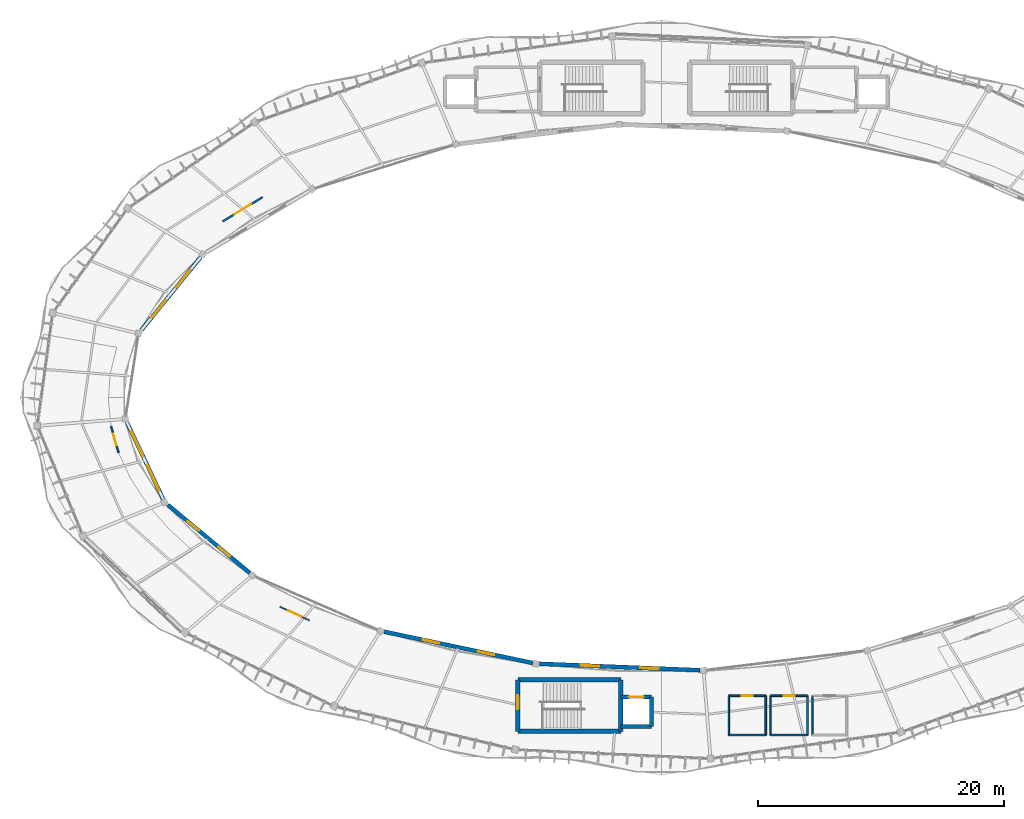
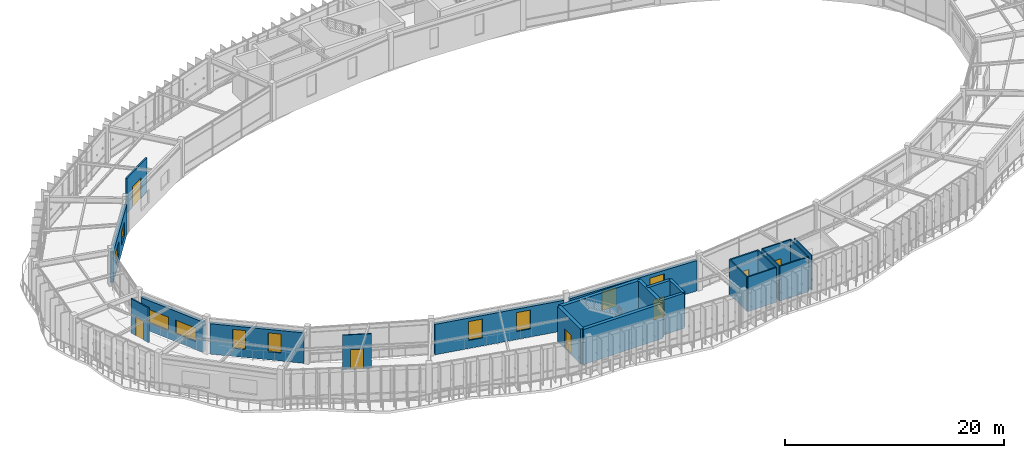
# One storey, part 67 of 79: 24 walls, 10 windows, 7 doors, 17 openings.
"""IFC4 building model written with IfcOpenShell, lengths in metres."""

from ifc_helpers import new_model, si_unit, direction, frame, frame_2d, origin, place, context, subcontext, project, spatial, rectangle, extrude, material, layer, layer_set, type_object, element, fill, save


model = new_model("IFC4")

# Units and contexts
model_context = context("Model", 3, precision=1e-05, world=origin(), true_north=direction((0.0, 1.0)))
body_context = subcontext(model_context, "Body", "Model", "MODEL_VIEW")
ifc_project = project(units=[si_unit("LENGTHUNIT", "METRE"), si_unit("AREAUNIT", "SQUARE_METRE"), si_unit("VOLUMEUNIT", "CUBIC_METRE"), si_unit("PLANEANGLEUNIT", "RADIAN"), si_unit("MASSUNIT", "GRAM", prefix="KILO"), si_unit("THERMODYNAMICTEMPERATUREUNIT", "KELVIN"), si_unit("POWERUNIT", "WATT")], contexts=[model_context])

# Site, building, storey
site_placement = place(None, origin())
site = spatial("IfcSite", under=ifc_project, at=site_placement, CompositionType="ELEMENT")
building_placement = place(site_placement, origin())
building = spatial("IfcBuilding", under=site, at=building_placement, Name="Darbajah Civic Hall", CompositionType="ELEMENT")
storey_placement = place(building_placement, frame((0.0, 0.0, 22.199951171875)))
storey = spatial("IfcBuildingStorey", under=building, at=storey_placement, Name="L05", CompositionType="ELEMENT", Elevation=22.199951171875)

# Wall, opening, door
ifc_material_1 = material(Name="Concrete C45/55", Category="concrete")
ifc_layer_1 = layer(ifc_material_1, 0.300048828125, Name="Concrete C45/55")
ifc_layer_set_1 = layer_set([ifc_layer_1], Name="Concrete C45/55")
wall_type_1 = type_object("IfcWallType", Name="Core Shear Wall 300mm", PredefinedType="SHEAR", material=ifc_layer_set_1)
wall_1_placement = place(storey_placement, frame((88.300048828125, 65.39990234375, 0.0), z_axis=(0.0, 0.0, 1.0), x_axis=(-1.0, 0.0, 0.0)))
wall_1 = element("IfcWall", 1, at=wall_1_placement, inside=storey, type_object=wall_type_1, Name="L05 lift PL1 shaft wall N", PredefinedType="SHEAR", context=body_context, shape_type="SweptSolid", body=[
    extrude(rectangle(XDim=2.5, YDim=0.300048828125, at=frame_2d((1.25, 0.0))), origin(), (0.0, 0.0, 1.0), 3.920166015625),
])
opening_1_placement = place(wall_1_placement, frame((0.64990234375, 0.0, 0.0)))
opening_1 = element("IfcOpeningElement", 2, at=opening_1_placement, cuts=wall_1, Name="Opening LD-0055", PredefinedType="OPENING", context=body_context, shape_type="SweptSolid", body=[
    extrude(rectangle(XDim=1.199951171875, YDim=2.25, at=frame_2d((0.60009765625, 1.125))), frame((0.0, 0.159912109375, 0.0), z_axis=(0.0, -1.0, 0.0), x_axis=(1.0, 0.0, 0.0)), (0.0, 0.0, 1.0), 0.320068359375),
])
ifc_material_2 = material(Name="Stainless Lift Landing Door")
door_type_1 = type_object("IfcDoorType", Name="Lift Landing Door 1200x2250", OperationType="SLIDING_TO_LEFT", PredefinedType="DOOR", material=ifc_material_2)
door_1_placement = place(opening_1_placement, origin())
door_1 = element("IfcDoor", 3, at=door_1_placement, inside=storey, type_object=door_type_1, Name="L05 lift PL1 landing door LD-0055", OperationType="SLIDING_TO_LEFT", OverallHeight=2.25, OverallWidth=1.199951171875, PredefinedType="DOOR", context=body_context, shape_type="SweptSolid", body=[
    extrude(rectangle(XDim=1.199951171875, YDim=2.25, at=frame_2d((0.60009765625, 1.125))), frame((0.0, 0.02490234375, 0.0), z_axis=(0.0, -1.0, 0.0), x_axis=(1.0, 0.0, 0.0)), (0.0, 0.0, 1.0), 0.050048828125),
])
fill(opening_1, door_1)

# Walls
wall_2_placement = place(storey_placement, frame((85.800048828125, 63.0, 0.0), z_axis=(0.0, 0.0, 1.0), x_axis=(1.0, 0.0, 0.0)))
element("IfcWall", 4, at=wall_2_placement, inside=storey, type_object=wall_type_1, Name="L05 lift PL1 shaft wall S", PredefinedType="SHEAR", context=body_context, shape_type="SweptSolid", body=[
    extrude(rectangle(XDim=2.5, YDim=0.300048828125, at=frame_2d((1.25, 0.0))), origin(), (0.0, 0.0, 1.0), 3.920166015625),
])
wall_3_placement = place(storey_placement, frame((88.300048828125, 63.0, 0.0), z_axis=(0.0, 0.0, 1.0), x_axis=(0.0, 1.0, 0.0)))
element("IfcWall", 5, at=wall_3_placement, inside=storey, type_object=wall_type_1, Name="L05 lift PL1 shaft wall E", PredefinedType="SHEAR", context=body_context, shape_type="SweptSolid", body=[
    extrude(rectangle(XDim=2.39990234375, YDim=0.300048828125, at=frame_2d((1.199951171875, 0.0))), origin(), (0.0, 0.0, 1.0), 3.920166015625),
])
ifc_material_3 = material(Name="Concrete C50/60", Category="concrete")
ifc_layer_2 = layer(ifc_material_3, 0.35009765625, Name="Concrete C50/60")
ifc_layer_set_2 = layer_set([ifc_layer_2], Name="Concrete C50/60")
wall_type_2 = type_object("IfcWallType", Name="Core Shear Wall 350mm", PredefinedType="SHEAR", material=ifc_layer_set_2)
wall_4_placement = place(storey_placement, frame((77.39990234375, 62.60009765625, 0.0), z_axis=(0.0, 0.0, 1.0), x_axis=(1.0, 0.0, 0.0)))
element("IfcWall", 6, at=wall_4_placement, inside=storey, type_object=wall_type_2, Name="L05 core C03 shear wall S", PredefinedType="SHEAR", context=body_context, shape_type="SweptSolid", body=[
    extrude(rectangle(XDim=8.400146484375, YDim=0.35009765625, at=frame_2d((4.2001953125, 0.0))), origin(), (0.0, 0.0, 1.0), 3.920166015625),
])
wall_5_placement = place(storey_placement, frame((85.800048828125, 62.60009765625, 0.0), z_axis=(0.0, 0.0, 1.0), x_axis=(0.0, 1.0, 0.0)))
element("IfcWall", 7, at=wall_5_placement, inside=storey, type_object=wall_type_2, Name="L05 core C03 shear wall E", PredefinedType="SHEAR", context=body_context, shape_type="SweptSolid", body=[
    extrude(rectangle(XDim=4.199951171875, YDim=0.35009765625, at=frame_2d((2.10009765625, 0.0))), origin(), (0.0, 0.0, 1.0), 3.920166015625),
])
wall_6_placement = place(storey_placement, frame((85.800048828125, 66.800048828125, 0.0), z_axis=(0.0, 0.0, 1.0), x_axis=(-1.0, 0.0, 0.0)))
element("IfcWall", 8, at=wall_6_placement, inside=storey, type_object=wall_type_2, Name="L05 core C03 shear wall N", PredefinedType="SHEAR", context=body_context, shape_type="SweptSolid", body=[
    extrude(rectangle(XDim=8.400146484375, YDim=0.35009765625, at=frame_2d((4.2001953125, 0.0))), origin(), (0.0, 0.0, 1.0), 3.920166015625),
])

# Wall, opening, door
wall_7_placement = place(storey_placement, frame((77.39990234375, 66.800048828125, 0.0), z_axis=(0.0, 0.0, 1.0), x_axis=(0.0, -1.0, 0.0)))
wall_7 = element("IfcWall", 9, at=wall_7_placement, inside=storey, type_object=wall_type_2, Name="L05 core C03 shear wall W", PredefinedType="SHEAR", context=body_context, shape_type="SweptSolid", body=[
    extrude(rectangle(XDim=4.199951171875, YDim=0.35009765625, at=frame_2d((2.10009765625, 0.0))), origin(), (0.0, 0.0, 1.0), 3.920166015625),
])
opening_2_placement = place(wall_7_placement, frame((1.25, 0.0, 0.0)))
opening_2 = element("IfcOpeningElement", 10, at=opening_2_placement, cuts=wall_7, Name="Opening SD-0048", PredefinedType="OPENING", context=body_context, shape_type="SweptSolid", body=[
    extrude(rectangle(XDim=1.14990234375, YDim=2.199951171875, at=frame_2d((0.574951171875, 1.10009765625))), frame((0.0, 0.18505859375, 0.0), z_axis=(0.0, -1.0, 0.0), x_axis=(1.0, 0.0, 0.0)), (0.0, 0.0, 1.0), 0.3701171875),
])
ifc_material_4 = material(Name="Steel Rated Core Door", Category="steel")
door_type_2 = type_object("IfcDoorType", Name="Interior Door 1150x2200", OperationType="NOTDEFINED", PredefinedType="DOOR", material=ifc_material_4)
door_2_placement = place(opening_2_placement, origin())
door_2 = element("IfcDoor", 11, at=door_2_placement, inside=storey, type_object=door_type_2, Name="L05 stair ST03 fire door SD-0048", OperationType="SINGLE_SWING_LEFT", OverallHeight=2.199951171875, OverallWidth=1.14990234375, PredefinedType="DOOR", context=body_context, shape_type="SweptSolid", body=[
    extrude(rectangle(XDim=1.14990234375, YDim=2.199951171875, at=frame_2d((0.574951171875, 1.10009765625))), frame((0.0, 0.02490234375, 0.0), z_axis=(0.0, -1.0, 0.0), x_axis=(1.0, 0.0, 0.0)), (0.0, 0.0, 1.0), 0.050048828125),
])
fill(opening_2, door_2)

# Wall, openings, windows
ifc_material_5 = material(Name="Qatari Desert Limestone Ashlar", Category="masonry")
ifc_layer_3 = layer(ifc_material_5, 0.340087890625, Name="Qatari Desert Limestone Ashlar")
ifc_layer_set_3 = layer_set([ifc_layer_3], Name="Qatari Desert Limestone Ashlar")
wall_type_3 = type_object("IfcWallType", Name="Exterior Wall 340mm", PredefinedType="SOLIDWALL", material=ifc_layer_set_3)
wall_8_placement = place(storey_placement, frame((51.57568359375, 101.232177734375, 0.0), z_axis=(0.0, 0.0, 1.0), x_axis=(-0.631088438645, -0.775710888546, 0.0)))
wall_8 = element("IfcWall", 12, at=wall_8_placement, inside=storey, type_object=wall_type_3, Name="L05 exterior wall EW-340", PredefinedType="SOLIDWALL", context=body_context, shape_type="SweptSolid", body=[
    extrude(rectangle(XDim=7.691162109375, YDim=0.340087890625, at=frame_2d((3.845703125, 0.0))), origin(), (0.0, 0.0, 1.0), 3.386962890625),
])
opening_3_placement = place(wall_8_placement, frame((1.330322265625, 0.0, 0.89990234375)))
opening_3 = element("IfcOpeningElement", 13, at=opening_3_placement, cuts=wall_8, Name="Opening WN-26", PredefinedType="OPENING", context=body_context, shape_type="SweptSolid", body=[
    extrude(rectangle(XDim=1.85009765625, YDim=1.5, at=frame_2d((0.925048828125, 0.75))), frame((0.0, 0.179931640625, 0.0), z_axis=(0.0, -1.0, 0.0), x_axis=(1.0, 0.0, 0.0)), (0.0, 0.0, 1.0), 0.360107421875),
])
opening_4_placement = place(wall_8_placement, frame((4.510986328125, 0.0, 0.89990234375)))
opening_4 = element("IfcOpeningElement", 14, at=opening_4_placement, cuts=wall_8, Name="Opening WN-26", PredefinedType="OPENING", context=body_context, shape_type="SweptSolid", body=[
    extrude(rectangle(XDim=1.85009765625, YDim=1.5, at=frame_2d((0.925048828125, 0.75))), frame((0.0, 0.179931640625, 0.0), z_axis=(0.0, -1.0, 0.0), x_axis=(1.0, 0.0, 0.0)), (0.0, 0.0, 1.0), 0.360107421875),
])
ifc_material_6 = material(Name="Low-E Solar Control Double Glazing", Category="glass")
window_type_1 = type_object("IfcWindowType", Name="Facade Window 1850x1500", PartitioningType="DOUBLE_PANEL_VERTICAL", PredefinedType="WINDOW", material=ifc_material_6)
window_1_placement = place(opening_3_placement, origin())
window_1 = element("IfcWindow", 15, at=window_1_placement, inside=storey, type_object=window_type_1, Name="L05 facade window WN-26", OverallHeight=1.5, OverallWidth=1.85009765625, PartitioningType="SINGLE_PANEL", PredefinedType="WINDOW", context=body_context, shape_type="SweptSolid", body=[
    extrude(rectangle(XDim=1.85009765625, YDim=1.5, at=frame_2d((0.925048828125, 0.75))), frame((0.0, 0.030029296875, 0.0), z_axis=(0.0, -1.0, 0.0), x_axis=(1.0, 0.0, 0.0)), (0.0, 0.0, 1.0), 0.06005859375),
])
fill(opening_3, window_1)
window_2_placement = place(opening_4_placement, origin())
window_2 = element("IfcWindow", 16, at=window_2_placement, inside=storey, type_object=window_type_1, Name="L05 facade window WN-26", OverallHeight=1.5, OverallWidth=1.85009765625, PartitioningType="SINGLE_PANEL", PredefinedType="WINDOW", context=body_context, shape_type="SweptSolid", body=[
    extrude(rectangle(XDim=1.85009765625, YDim=1.5, at=frame_2d((0.925048828125, 0.75))), frame((0.0, 0.030029296875, 0.0), z_axis=(0.0, -1.0, 0.0), x_axis=(1.0, 0.0, 0.0)), (0.0, 0.0, 1.0), 0.06005859375),
])
fill(opening_4, window_2)

wall_9_placement = place(storey_placement, frame((45.5732421875, 87.757080078125, 0.0), z_axis=(0.0, 0.0, 1.0), x_axis=(0.42649766166, -0.904488664715, 0.0)))
wall_9 = element("IfcWall", 17, at=wall_9_placement, inside=storey, type_object=wall_type_3, Name="L05 exterior wall EW-340", PredefinedType="SOLIDWALL", context=body_context, shape_type="SweptSolid", body=[
    extrude(rectangle(XDim=6.91259765625, YDim=0.340087890625, at=frame_2d((3.456298828125, 0.0))), origin(), (0.0, 0.0, 1.0), 3.386962890625),
])
opening_5_placement = place(wall_9_placement, frame((0.80419921875, 0.0, 0.89990234375)))
opening_5 = element("IfcOpeningElement", 18, at=opening_5_placement, cuts=wall_9, Name="Opening WN-27", PredefinedType="OPENING", context=body_context, shape_type="SweptSolid", body=[
    extrude(rectangle(XDim=2.25, YDim=1.5, at=frame_2d((1.125, 0.75))), frame((0.0, 0.179931640625, 0.0), z_axis=(0.0, -1.0, 0.0), x_axis=(1.0, 0.0, 0.0)), (0.0, 0.0, 1.0), 0.360107421875),
])
opening_6_placement = place(wall_9_placement, frame((3.8583984375, 0.0, 0.89990234375)))
opening_6 = element("IfcOpeningElement", 19, at=opening_6_placement, cuts=wall_9, Name="Opening WN-27", PredefinedType="OPENING", context=body_context, shape_type="SweptSolid", body=[
    extrude(rectangle(XDim=2.25, YDim=1.5, at=frame_2d((1.125, 0.75))), frame((0.0, 0.179931640625, 0.0), z_axis=(0.0, -1.0, 0.0), x_axis=(1.0, 0.0, 0.0)), (0.0, 0.0, 1.0), 0.360107421875),
])
window_type_2 = type_object("IfcWindowType", Name="Facade Window 2250x1500", PartitioningType="DOUBLE_PANEL_VERTICAL", PredefinedType="WINDOW", material=ifc_material_6)
window_3_placement = place(opening_5_placement, origin())
window_3 = element("IfcWindow", 20, at=window_3_placement, inside=storey, type_object=window_type_2, Name="L05 facade window WN-27", OverallHeight=1.5, OverallWidth=2.25, PartitioningType="SINGLE_PANEL", PredefinedType="WINDOW", context=body_context, shape_type="SweptSolid", body=[
    extrude(rectangle(XDim=2.25, YDim=1.5, at=frame_2d((1.125, 0.75))), frame((0.0, 0.030029296875, 0.0), z_axis=(0.0, -1.0, 0.0), x_axis=(1.0, 0.0, 0.0)), (0.0, 0.0, 1.0), 0.06005859375),
])
fill(opening_5, window_3)
window_4_placement = place(opening_6_placement, origin())
window_4 = element("IfcWindow", 21, at=window_4_placement, inside=storey, type_object=window_type_2, Name="L05 facade window WN-27", OverallHeight=1.5, OverallWidth=2.25, PartitioningType="SINGLE_PANEL", PredefinedType="WINDOW", context=body_context, shape_type="SweptSolid", body=[
    extrude(rectangle(XDim=2.25, YDim=1.5, at=frame_2d((1.125, 0.75))), frame((0.0, 0.030029296875, 0.0), z_axis=(0.0, -1.0, 0.0), x_axis=(1.0, 0.0, 0.0)), (0.0, 0.0, 1.0), 0.06005859375),
])
fill(opening_6, window_4)

wall_10_placement = place(storey_placement, frame((48.8955078125, 81.049072265625, 0.0), z_axis=(0.0, 0.0, 1.0), x_axis=(0.76916356776, -0.639051958788, 0.0)))
wall_10 = element("IfcWall", 22, at=wall_10_placement, inside=storey, type_object=wall_type_3, Name="L05 exterior wall EW-340", PredefinedType="SOLIDWALL", context=body_context, shape_type="SweptSolid", body=[
    extrude(rectangle(XDim=8.67822265625, YDim=0.340087890625, at=frame_2d((4.339111328125, 0.0))), origin(), (0.0, 0.0, 1.0), 3.386962890625),
])
opening_7_placement = place(wall_10_placement, frame((2.0927734375, 0.0, 0.89990234375)))
opening_7 = element("IfcOpeningElement", 23, at=opening_7_placement, cuts=wall_10, Name="Opening WN-01", PredefinedType="OPENING", context=body_context, shape_type="SweptSolid", body=[
    extrude(rectangle(XDim=1.199951171875, YDim=2.10009765625, at=frame_2d((0.60009765625, 1.050048828125))), frame((0.0, 0.179931640625, 0.0), z_axis=(0.0, -1.0, 0.0), x_axis=(1.0, 0.0, 0.0)), (0.0, 0.0, 1.0), 0.360107421875),
])
opening_8_placement = place(wall_10_placement, frame((5.385498046875, 0.0, 0.89990234375)))
opening_8 = element("IfcOpeningElement", 24, at=opening_8_placement, cuts=wall_10, Name="Opening WN-01", PredefinedType="OPENING", context=body_context, shape_type="SweptSolid", body=[
    extrude(rectangle(XDim=1.199951171875, YDim=2.10009765625, at=frame_2d((0.60009765625, 1.050048828125))), frame((0.0, 0.179931640625, 0.0), z_axis=(0.0, -1.0, 0.0), x_axis=(1.0, 0.0, 0.0)), (0.0, 0.0, 1.0), 0.360107421875),
])
window_type_3 = type_object("IfcWindowType", Name="Facade Window 1200x2100", PartitioningType="SINGLE_PANEL", PredefinedType="WINDOW", material=ifc_material_6)
window_5_placement = place(opening_7_placement, origin())
window_5 = element("IfcWindow", 25, at=window_5_placement, inside=storey, type_object=window_type_3, Name="L05 facade window WN-01", OverallHeight=2.10009765625, OverallWidth=1.199951171875, PartitioningType="SINGLE_PANEL", PredefinedType="WINDOW", context=body_context, shape_type="SweptSolid", body=[
    extrude(rectangle(XDim=1.199951171875, YDim=2.10009765625, at=frame_2d((0.60009765625, 1.050048828125))), frame((0.0, 0.030029296875, 0.0), z_axis=(0.0, -1.0, 0.0), x_axis=(1.0, 0.0, 0.0)), (0.0, 0.0, 1.0), 0.06005859375),
])
fill(opening_7, window_5)
window_6_placement = place(opening_8_placement, origin())
window_6 = element("IfcWindow", 26, at=window_6_placement, inside=storey, type_object=window_type_3, Name="L05 facade window WN-01", OverallHeight=2.10009765625, OverallWidth=1.199951171875, PartitioningType="SINGLE_PANEL", PredefinedType="WINDOW", context=body_context, shape_type="SweptSolid", body=[
    extrude(rectangle(XDim=1.199951171875, YDim=2.10009765625, at=frame_2d((0.60009765625, 1.050048828125))), frame((0.0, 0.030029296875, 0.0), z_axis=(0.0, -1.0, 0.0), x_axis=(1.0, 0.0, 0.0)), (0.0, 0.0, 1.0), 0.06005859375),
])
fill(opening_8, window_6)

wall_11_placement = place(storey_placement, frame((66.529052734375, 70.7197265625, 0.0), z_axis=(0.0, 0.0, 1.0), x_axis=(0.978481192581, -0.206336026337, 0.0)))
wall_11 = element("IfcWall", 27, at=wall_11_placement, inside=storey, type_object=wall_type_3, Name="L05 exterior wall EW-340", PredefinedType="SOLIDWALL", context=body_context, shape_type="SweptSolid", body=[
    extrude(rectangle(XDim=12.358642578125, YDim=0.340087890625, at=frame_2d((6.17919921875, 0.0))), origin(), (0.0, 0.0, 1.0), 3.386962890625),
])
opening_9_placement = place(wall_11_placement, frame((3.219482421875, 0.0, 0.89990234375)))
opening_9 = element("IfcOpeningElement", 28, at=opening_9_placement, cuts=wall_11, Name="Opening WN-02", PredefinedType="OPENING", context=body_context, shape_type="SweptSolid", body=[
    extrude(rectangle(XDim=1.35009765625, YDim=2.10009765625, at=frame_2d((0.675048828125, 1.050048828125))), frame((0.0, 0.179931640625, 0.0), z_axis=(0.0, -1.0, 0.0), x_axis=(1.0, 0.0, 0.0)), (0.0, 0.0, 1.0), 0.360107421875),
])
opening_10_placement = place(wall_11_placement, frame((7.789306640625, 0.0, 0.89990234375)))
opening_10 = element("IfcOpeningElement", 29, at=opening_10_placement, cuts=wall_11, Name="Opening WN-02", PredefinedType="OPENING", context=body_context, shape_type="SweptSolid", body=[
    extrude(rectangle(XDim=1.35009765625, YDim=2.10009765625, at=frame_2d((0.675048828125, 1.050048828125))), frame((0.0, 0.179931640625, 0.0), z_axis=(0.0, -1.0, 0.0), x_axis=(1.0, 0.0, 0.0)), (0.0, 0.0, 1.0), 0.360107421875),
])
window_type_4 = type_object("IfcWindowType", Name="Facade Window 1350x2100", PartitioningType="SINGLE_PANEL", PredefinedType="WINDOW", material=ifc_material_6)
window_7_placement = place(opening_9_placement, origin())
window_7 = element("IfcWindow", 30, at=window_7_placement, inside=storey, type_object=window_type_4, Name="L05 facade window WN-02", OverallHeight=2.10009765625, OverallWidth=1.35009765625, PartitioningType="SINGLE_PANEL", PredefinedType="WINDOW", context=body_context, shape_type="SweptSolid", body=[
    extrude(rectangle(XDim=1.35009765625, YDim=2.10009765625, at=frame_2d((0.675048828125, 1.050048828125))), frame((0.0, 0.030029296875, 0.0), z_axis=(0.0, -1.0, 0.0), x_axis=(1.0, 0.0, 0.0)), (0.0, 0.0, 1.0), 0.06005859375),
])
fill(opening_9, window_7)
window_8_placement = place(opening_10_placement, origin())
window_8 = element("IfcWindow", 31, at=window_8_placement, inside=storey, type_object=window_type_4, Name="L05 facade window WN-02", OverallHeight=2.10009765625, OverallWidth=1.35009765625, PartitioningType="SINGLE_PANEL", PredefinedType="WINDOW", context=body_context, shape_type="SweptSolid", body=[
    extrude(rectangle(XDim=1.35009765625, YDim=2.10009765625, at=frame_2d((0.675048828125, 1.050048828125))), frame((0.0, 0.030029296875, 0.0), z_axis=(0.0, -1.0, 0.0), x_axis=(1.0, 0.0, 0.0)), (0.0, 0.0, 1.0), 0.06005859375),
])
fill(opening_10, window_8)

wall_12_placement = place(storey_placement, frame((79.170654296875, 68.1044921875, 0.0), z_axis=(0.0, 0.0, 1.0), x_axis=(0.999197261913, -0.040060351782, 0.0)))
wall_12 = element("IfcWall", 32, at=wall_12_placement, inside=storey, type_object=wall_type_3, Name="L05 exterior wall EW-340", PredefinedType="SOLIDWALL", context=body_context, shape_type="SweptSolid", body=[
    extrude(rectangle(XDim=13.0966796875, YDim=0.340087890625, at=frame_2d((6.54833984375, 0.0))), origin(), (0.0, 0.0, 1.0), 3.386962890625),
])
opening_11_placement = place(wall_12_placement, frame((3.365478515625, 0.0, 0.89990234375)))
opening_11 = element("IfcOpeningElement", 33, at=opening_11_placement, cuts=wall_12, Name="Opening WN-03", PredefinedType="OPENING", context=body_context, shape_type="SweptSolid", body=[
    extrude(rectangle(XDim=1.5, YDim=2.10009765625, at=frame_2d((0.75, 1.050048828125))), frame((0.0, 0.179931640625, 0.0), z_axis=(0.0, -1.0, 0.0), x_axis=(1.0, 0.0, 0.0)), (0.0, 0.0, 1.0), 0.360107421875),
])
opening_12_placement = place(wall_12_placement, frame((8.231201171875, 0.0, 0.89990234375)))
opening_12 = element("IfcOpeningElement", 34, at=opening_12_placement, cuts=wall_12, Name="Opening WN-03", PredefinedType="OPENING", context=body_context, shape_type="SweptSolid", body=[
    extrude(rectangle(XDim=1.5, YDim=2.10009765625, at=frame_2d((0.75, 1.050048828125))), frame((0.0, 0.179931640625, 0.0), z_axis=(0.0, -1.0, 0.0), x_axis=(1.0, 0.0, 0.0)), (0.0, 0.0, 1.0), 0.360107421875),
])
window_type_5 = type_object("IfcWindowType", Name="Facade Window 1500x2100", PartitioningType="SINGLE_PANEL", PredefinedType="WINDOW", material=ifc_material_6)
window_9_placement = place(opening_11_placement, origin())
window_9 = element("IfcWindow", 35, at=window_9_placement, inside=storey, type_object=window_type_5, Name="L05 facade window WN-03", OverallHeight=2.10009765625, OverallWidth=1.5, PartitioningType="SINGLE_PANEL", PredefinedType="WINDOW", context=body_context, shape_type="SweptSolid", body=[
    extrude(rectangle(XDim=1.5, YDim=2.10009765625, at=frame_2d((0.75, 1.050048828125))), frame((0.0, 0.030029296875, 0.0), z_axis=(0.0, -1.0, 0.0), x_axis=(1.0, 0.0, 0.0)), (0.0, 0.0, 1.0), 0.06005859375),
])
fill(opening_11, window_9)
window_10_placement = place(opening_12_placement, origin())
window_10 = element("IfcWindow", 36, at=window_10_placement, inside=storey, type_object=window_type_5, Name="L05 facade window WN-03", OverallHeight=2.10009765625, OverallWidth=1.5, PartitioningType="SINGLE_PANEL", PredefinedType="WINDOW", context=body_context, shape_type="SweptSolid", body=[
    extrude(rectangle(XDim=1.5, YDim=2.10009765625, at=frame_2d((0.75, 1.050048828125))), frame((0.0, 0.030029296875, 0.0), z_axis=(0.0, -1.0, 0.0), x_axis=(1.0, 0.0, 0.0)), (0.0, 0.0, 1.0), 0.06005859375),
])
fill(opening_12, window_10)

# Wall, opening, door
ifc_material_7 = material(Name="Acoustic Gypsum Partition")
ifc_layer_4 = layer(ifc_material_7, 0.114990234375, Name="Acoustic Gypsum Partition")
ifc_layer_set_4 = layer_set([ifc_layer_4], Name="Acoustic Gypsum Partition")
wall_type_4 = type_object("IfcWallType", Name="Interior Partition 115mm", PredefinedType="PARTITIONING", material=ifc_layer_set_4)
wall_13_placement = place(storey_placement, frame((60.444580078125, 71.628173828125, 0.0), z_axis=(0.0, 0.0, 1.0), x_axis=(-0.907290218326, 0.420505005595, 0.0)))
wall_13 = element("IfcWall", 37, at=wall_13_placement, inside=storey, type_object=wall_type_4, Name="L05 interior partition L05-V1-06", PredefinedType="PARTITIONING", context=body_context, shape_type="SweptSolid", body=[
    extrude(rectangle(XDim=2.674072265625, YDim=0.114990234375, at=frame_2d((1.3369140625, 0.0))), origin(), (0.0, 0.0, 1.0), 3.860107421875),
])
opening_13_placement = place(wall_13_placement, frame((0.737060546875, 0.0, 0.0)))
opening_13 = element("IfcOpeningElement", 38, at=opening_13_placement, cuts=wall_13, Name="Opening D-0261", PredefinedType="OPENING", context=body_context, shape_type="SweptSolid", body=[
    extrude(rectangle(XDim=1.199951171875, YDim=2.199951171875, at=frame_2d((0.60009765625, 1.10009765625))), frame((0.0, 0.0673828125, 0.0), z_axis=(0.0, -1.0, 0.0), x_axis=(1.0, 0.0, 0.0)), (0.0, 0.0, 1.0), 0.135009765625),
])
ifc_material_8 = material(Name="Painted Hardwood Fire Door", Category="wood")
door_type_3 = type_object("IfcDoorType", Name="Interior Door 1200x2200", OperationType="NOTDEFINED", PredefinedType="DOOR", material=ifc_material_8)
door_3_placement = place(opening_13_placement, origin())
door_3 = element("IfcDoor", 39, at=door_3_placement, inside=storey, type_object=door_type_3, Name="L05 L05-V1-06 door D-0261", OperationType="SINGLE_SWING_RIGHT", OverallHeight=2.199951171875, OverallWidth=1.199951171875, PredefinedType="DOOR", context=body_context, shape_type="SweptSolid", body=[
    extrude(rectangle(XDim=1.199951171875, YDim=2.199951171875, at=frame_2d((0.60009765625, 1.10009765625))), frame((0.0, 0.02490234375, 0.0), z_axis=(0.0, -1.0, 0.0), x_axis=(1.0, 0.0, 0.0)), (0.0, 0.0, 1.0), 0.050048828125),
])
fill(opening_13, door_3)

ifc_material_9 = material(Name="Gypsum Plasterboard on Steel Stud", Category="steel")
ifc_layer_5 = layer(ifc_material_9, 0.135009765625, Name="Gypsum Plasterboard on Steel Stud")
ifc_layer_set_5 = layer_set([ifc_layer_5], Name="Gypsum Plasterboard on Steel Stud")
wall_type_5 = type_object("IfcWallType", Name="Interior Partition 135mm", PredefinedType="PARTITIONING", material=ifc_layer_set_5)
wall_14_placement = place(storey_placement, frame((44.877685546875, 85.306396484375, 0.0), z_axis=(0.0, 0.0, 1.0), x_axis=(-0.271083553994, 0.962555820072, 0.0)))
wall_14 = element("IfcWall", 40, at=wall_14_placement, inside=storey, type_object=wall_type_5, Name="L05 interior partition L05-V1-05", PredefinedType="PARTITIONING", context=body_context, shape_type="SweptSolid", body=[
    extrude(rectangle(XDim=2.21728515625, YDim=0.135009765625, at=frame_2d((1.108642578125, 0.0))), origin(), (0.0, 0.0, 1.0), 3.860107421875),
])
opening_14_placement = place(wall_14_placement, frame((0.608642578125, 0.0, 0.0)))
opening_14 = element("IfcOpeningElement", 41, at=opening_14_placement, cuts=wall_14, Name="Opening D-0260", PredefinedType="OPENING", context=body_context, shape_type="SweptSolid", body=[
    extrude(rectangle(XDim=1.0, YDim=2.10009765625, at=frame_2d((0.5, 1.050048828125))), frame((0.0, 0.077392578125, 0.0), z_axis=(0.0, -1.0, 0.0), x_axis=(1.0, 0.0, 0.0)), (0.0, 0.0, 1.0), 0.155029296875),
])
ifc_material_10 = material(Name="Oak Suite Door")
door_type_4 = type_object("IfcDoorType", Name="Interior Door 1000x2100", OperationType="NOTDEFINED", PredefinedType="DOOR", material=ifc_material_10)
door_4_placement = place(opening_14_placement, origin())
door_4 = element("IfcDoor", 42, at=door_4_placement, inside=storey, type_object=door_type_4, Name="L05 L05-V1-05 door D-0260", OperationType="SINGLE_SWING_LEFT", OverallHeight=2.10009765625, OverallWidth=1.0, PredefinedType="DOOR", context=body_context, shape_type="SweptSolid", body=[
    extrude(rectangle(XDim=1.0, YDim=2.10009765625, at=frame_2d((0.5, 1.050048828125))), frame((0.0, 0.02490234375, 0.0), z_axis=(0.0, -1.0, 0.0), x_axis=(1.0, 0.0, 0.0)), (0.0, 0.0, 1.0), 0.050048828125),
])
fill(opening_14, door_4)

# Walls
wall_15_placement = place(storey_placement, frame((94.60009765625, 62.300048828125, 0.0), z_axis=(0.0, 0.0, 1.0), x_axis=(1.0, 0.0, 0.0)))
element("IfcWall", 43, at=wall_15_placement, inside=storey, type_object=wall_type_5, Name="L05 restroom enclosure wall L05-WCM S", PredefinedType="PARTITIONING", context=body_context, shape_type="SweptSolid", body=[
    extrude(rectangle(XDim=3.0, YDim=0.135009765625, at=frame_2d((1.5, 0.0))), origin(), (0.0, 0.0, 1.0), 3.860107421875),
])
for number, where, z_axis, x_axis, name in (
    (44, (97.60009765625, 62.300048828125, 0.0), (0.0, 0.0, 1.0), (0.0, 1.0, 0.0), "L05 restroom enclosure wall L05-WCM E"),
    (45, (94.60009765625, 62.300048828125, 0.0), (0.0, 0.0, 1.0), (0.0, 1.0, 0.0), "L05 restroom enclosure wall L05-WCM W"),
):
    element("IfcWall", number, at=place(storey_placement, frame(where, z_axis=z_axis, x_axis=x_axis)), inside=storey, type_object=wall_type_5, Name=name, PredefinedType="PARTITIONING", context=body_context, shape_type="SweptSolid", body=[
        extrude(rectangle(XDim=3.199951171875, YDim=0.135009765625, at=frame_2d((1.60009765625, 0.0))), origin(), (0.0, 0.0, 1.0), 3.860107421875),
    ])
wall_16_placement = place(storey_placement, frame((98.0, 62.300048828125, 0.0), z_axis=(0.0, 0.0, 1.0), x_axis=(1.0, 0.0, 0.0)))
element("IfcWall", 46, at=wall_16_placement, inside=storey, type_object=wall_type_5, Name="L05 restroom enclosure wall L05-WCF S", PredefinedType="PARTITIONING", context=body_context, shape_type="SweptSolid", body=[
    extrude(rectangle(XDim=3.0, YDim=0.135009765625, at=frame_2d((1.5, 0.0))), origin(), (0.0, 0.0, 1.0), 3.860107421875),
])
for number, where, z_axis, x_axis, name in (
    (47, (101.0, 62.300048828125, 0.0), (0.0, 0.0, 1.0), (0.0, 1.0, 0.0), "L05 restroom enclosure wall L05-WCF E"),
    (48, (98.0, 62.300048828125, 0.0), (0.0, 0.0, 1.0), (0.0, 1.0, 0.0), "L05 restroom enclosure wall L05-WCF W"),
):
    element("IfcWall", number, at=place(storey_placement, frame(where, z_axis=z_axis, x_axis=x_axis)), inside=storey, type_object=wall_type_5, Name=name, PredefinedType="PARTITIONING", context=body_context, shape_type="SweptSolid", body=[
        extrude(rectangle(XDim=3.199951171875, YDim=0.135009765625, at=frame_2d((1.60009765625, 0.0))), origin(), (0.0, 0.0, 1.0), 3.860107421875),
    ])

# Wall, opening, door
wall_17_placement = place(storey_placement, frame((98.0, 65.5, 0.0), z_axis=(0.0, 0.0, 1.0), x_axis=(1.0, 0.0, 0.0)))
wall_17 = element("IfcWall", 49, at=wall_17_placement, inside=storey, type_object=wall_type_5, Name="L05 interior partition L05-WCF", PredefinedType="PARTITIONING", context=body_context, shape_type="SweptSolid", body=[
    extrude(rectangle(XDim=3.0, YDim=0.135009765625, at=frame_2d((1.5, 0.0))), origin(), (0.0, 0.0, 1.0), 3.860107421875),
])
opening_15_placement = place(wall_17_placement, frame((1.050048828125, 0.0, 0.0)))
opening_15 = element("IfcOpeningElement", 50, at=opening_15_placement, cuts=wall_17, Name="Opening D-0263", PredefinedType="OPENING", context=body_context, shape_type="SweptSolid", body=[
    extrude(rectangle(XDim=0.89990234375, YDim=2.10009765625, at=frame_2d((0.449951171875, 1.050048828125))), frame((0.0, 0.077392578125, 0.0), z_axis=(0.0, -1.0, 0.0), x_axis=(1.0, 0.0, 0.0)), (0.0, 0.0, 1.0), 0.155029296875),
])
ifc_material_11 = material(Name="Oak Washroom Door")
door_type_5 = type_object("IfcDoorType", Name="Interior Door 900x2100", OperationType="NOTDEFINED", PredefinedType="DOOR", material=ifc_material_11)
door_5_placement = place(opening_15_placement, origin())
door_5 = element("IfcDoor", 51, at=door_5_placement, inside=storey, type_object=door_type_5, Name="L05 L05-WCF door D-0263", OperationType="SINGLE_SWING_RIGHT", OverallHeight=2.10009765625, OverallWidth=0.89990234375, PredefinedType="DOOR", context=body_context, shape_type="SweptSolid", body=[
    extrude(rectangle(XDim=0.89990234375, YDim=2.10009765625, at=frame_2d((0.449951171875, 1.050048828125))), frame((0.0, 0.02490234375, 0.0), z_axis=(0.0, -1.0, 0.0), x_axis=(1.0, 0.0, 0.0)), (0.0, 0.0, 1.0), 0.050048828125),
])
fill(opening_15, door_5)

# Wall
wall_18_placement = place(storey_placement, frame((101.39990234375, 62.300048828125, 0.0), z_axis=(0.0, 0.0, 1.0), x_axis=(0.0, 1.0, 0.0)))
element("IfcWall", 52, at=wall_18_placement, inside=storey, type_object=wall_type_5, Name="L05 restroom enclosure wall L05-WCA W", PredefinedType="PARTITIONING", context=body_context, shape_type="SweptSolid", body=[
    extrude(rectangle(XDim=3.199951171875, YDim=0.135009765625, at=frame_2d((1.60009765625, 0.0))), origin(), (0.0, 0.0, 1.0), 3.860107421875),
])

# Wall, opening, door
ifc_layer_6 = layer(ifc_material_9, 0.159912109375, Name="Gypsum Plasterboard on Steel Stud")
ifc_layer_set_6 = layer_set([ifc_layer_6], Name="Gypsum Plasterboard on Steel Stud")
wall_type_6 = type_object("IfcWallType", Name="Interior Partition 160mm", PredefinedType="PARTITIONING", material=ifc_layer_set_6)
wall_19_placement = place(storey_placement, frame((53.359375, 104.13623046875, 0.0), z_axis=(0.0, 0.0, 1.0), x_axis=(0.854429101942, 0.519568003012, 0.0)))
wall_19 = element("IfcWall", 53, at=wall_19_placement, inside=storey, type_object=wall_type_6, Name="L05 interior partition L05-V1-04", PredefinedType="PARTITIONING", context=body_context, shape_type="SweptSolid", body=[
    extrude(rectangle(XDim=3.822509765625, YDim=0.159912109375, at=frame_2d((1.9111328125, 0.0))), origin(), (0.0, 0.0, 1.0), 3.860107421875),
])
opening_16_placement = place(wall_19_placement, frame((1.111083984375, 0.0, 0.0)))
opening_16 = element("IfcOpeningElement", 54, at=opening_16_placement, cuts=wall_19, Name="Opening D-0259", PredefinedType="OPENING", context=body_context, shape_type="SweptSolid", body=[
    extrude(rectangle(XDim=1.60009765625, YDim=2.300048828125, at=frame_2d((0.800048828125, 1.14990234375))), frame((0.0, 0.08984375, 0.0), z_axis=(0.0, -1.0, 0.0), x_axis=(1.0, 0.0, 0.0)), (0.0, 0.0, 1.0), 0.179931640625),
])
door_type_6 = type_object("IfcDoorType", Name="Interior Door 1600x2300", OperationType="NOTDEFINED", PredefinedType="DOOR", material=ifc_material_8)
door_6_placement = place(opening_16_placement, origin())
door_6 = element("IfcDoor", 55, at=door_6_placement, inside=storey, type_object=door_type_6, Name="L05 L05-V1-04 door D-0259", OperationType="DOUBLE_DOOR_SINGLE_SWING", OverallHeight=2.300048828125, OverallWidth=1.60009765625, PredefinedType="DOOR", context=body_context, shape_type="SweptSolid", body=[
    extrude(rectangle(XDim=1.60009765625, YDim=2.300048828125, at=frame_2d((0.800048828125, 1.14990234375))), frame((0.0, 0.02490234375, 0.0), z_axis=(0.0, -1.0, 0.0), x_axis=(1.0, 0.0, 0.0)), (0.0, 0.0, 1.0), 0.050048828125),
])
fill(opening_16, door_6)

wall_20_placement = place(storey_placement, frame((94.60009765625, 65.5, 0.0), z_axis=(0.0, 0.0, 1.0), x_axis=(1.0, 0.0, 0.0)))
wall_20 = element("IfcWall", 56, at=wall_20_placement, inside=storey, type_object=wall_type_6, Name="L05 interior partition L05-WCM", PredefinedType="PARTITIONING", context=body_context, shape_type="SweptSolid", body=[
    extrude(rectangle(XDim=3.0, YDim=0.159912109375, at=frame_2d((1.5, 0.0))), origin(), (0.0, 0.0, 1.0), 3.860107421875),
])
opening_17_placement = place(wall_20_placement, frame((1.050048828125, 0.0, 0.0)))
opening_17 = element("IfcOpeningElement", 57, at=opening_17_placement, cuts=wall_20, Name="Opening D-0262", PredefinedType="OPENING", context=body_context, shape_type="SweptSolid", body=[
    extrude(rectangle(XDim=0.89990234375, YDim=2.10009765625, at=frame_2d((0.449951171875, 1.050048828125))), frame((0.0, 0.08984375, 0.0), z_axis=(0.0, -1.0, 0.0), x_axis=(1.0, 0.0, 0.0)), (0.0, 0.0, 1.0), 0.179931640625),
])
door_7_placement = place(opening_17_placement, origin())
door_7 = element("IfcDoor", 58, at=door_7_placement, inside=storey, type_object=door_type_5, Name="L05 L05-WCM door D-0262", OperationType="SINGLE_SWING_LEFT", OverallHeight=2.10009765625, OverallWidth=0.89990234375, PredefinedType="DOOR", context=body_context, shape_type="SweptSolid", body=[
    extrude(rectangle(XDim=0.89990234375, YDim=2.10009765625, at=frame_2d((0.449951171875, 1.050048828125))), frame((0.0, 0.02490234375, 0.0), z_axis=(0.0, -1.0, 0.0), x_axis=(1.0, 0.0, 0.0)), (0.0, 0.0, 1.0), 0.050048828125),
])
fill(opening_17, door_7)

save(model, "model.ifc")
